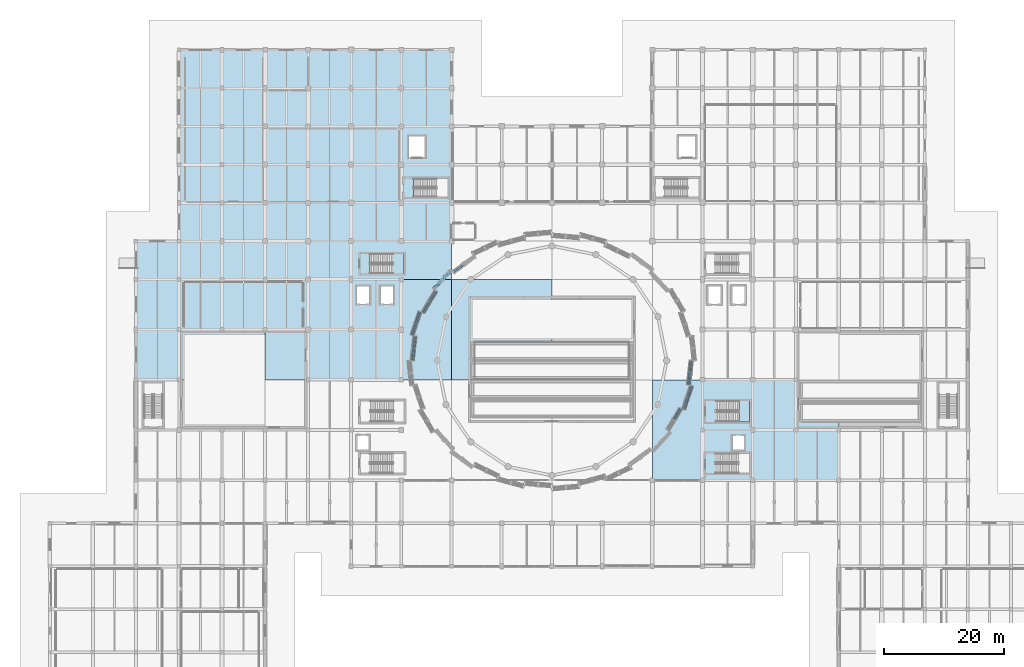
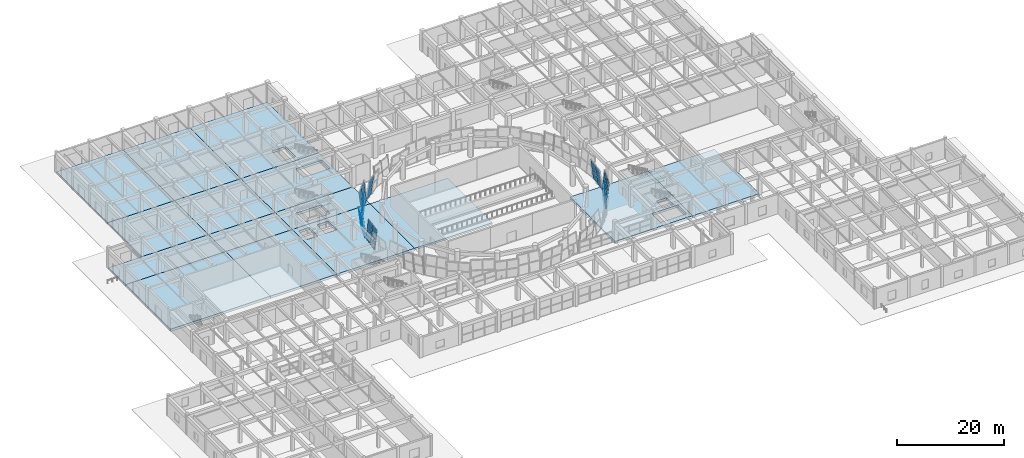
# One storey, part 42 of 72: 28 plates, 17 slabs, 10 elements without a shape of their own.
"""IFC4 building model written with IfcOpenShell, lengths in metres."""

from ifc_helpers import new_model, si_unit, direction, frame, origin, place, context, subcontext, project, spatial, polyline, outline, extrude, material, layer, layer_set, type_object, element, aggregate, save


model = new_model("IFC4")

# Units and contexts
model_context = context("Model", 3, precision=1e-05, world=origin(), true_north=direction((0.0, 1.0)))
body_context = subcontext(model_context, "Body", "Model", "MODEL_VIEW")
ifc_project = project(units=[si_unit("LENGTHUNIT", "METRE"), si_unit("AREAUNIT", "SQUARE_METRE"), si_unit("VOLUMEUNIT", "CUBIC_METRE"), si_unit("PLANEANGLEUNIT", "RADIAN"), si_unit("MASSUNIT", "GRAM", prefix="KILO")], contexts=[model_context])

# Site, building, storey
site_placement = place(None, origin())
site = spatial("IfcSite", under=ifc_project, at=site_placement, CompositionType="ELEMENT")
building_placement = place(site_placement, origin())
building = spatial("IfcBuilding", under=site, at=building_placement, Name="Korsvaeld Concert Hall", CompositionType="ELEMENT")
storey_placement = place(building_placement, origin())
storey = spatial("IfcBuildingStorey", under=building, at=storey_placement, Name="L00", CompositionType="ELEMENT", Elevation=0.0)

# Curtain wall, plates
ifc_material_1 = material(Name="Anodised bronze and ceramic-fritted safety glass", Category="glass")
curtain_wall_type_1 = type_object("IfcCurtainWallType", Name="CW-TYPE-04", PredefinedType="USERDEFINED", material=ifc_material_1)
curtain_wall_1_placement = place(storey_placement, origin())
curtain_wall_1 = element("IfcCurtainWall", 1, at=curtain_wall_1_placement, inside=storey, type_object=curtain_wall_type_1, Name="Crystal curtain-wall facet L00 F12", ObjectType="CURTAIN WALL", PredefinedType="USERDEFINED")
ifc_material_2 = material(Name="Translucent ceramic-fritted crystal safety glass", Category="glass")
ifc_layer_1 = layer(ifc_material_2, 0.035888671875)
ifc_layer_set_1 = layer_set([ifc_layer_1], Name="Translucent ceramic-fritted crystal safety glass")
plate_type = type_object("IfcPlateType", Name="CWP-CRYSTAL-36", PredefinedType="CURTAIN_PANEL", material=ifc_layer_set_1)
plate_1_placement = place(storey_placement, frame((69.074951171875, 79.481689453125, 0.06005859375), z_axis=(-0.589603322114, 0.799806223238, 0.112596304659), x_axis=(-0.804925146667, -0.593376363068, -3.842251e-06)))
plate_1 = element("IfcPlate", 2, at=plate_1_placement, type_object=plate_type, Name="CW-CRYS-L00-F12 ceramic-fritted crystal panel 2.1", PredefinedType="CURTAIN_PANEL", context=body_context, shape_type="SweptSolid", body=[
    extrude(outline(polyline([(0.0, 0.0), (2.1091544694851594, 0.0), (2.0834522541233937, 2.1636695204675545), (-0.02550570043338004, 2.163653209697853), (0.0, 0.0)])), frame((0.0, 0.0, 0.01806640625)), (0.0, 0.0, -1.0), 0.035888671875),
])
plate_2_placement = place(storey_placement, frame((69.24462890625, 79.295654296875, 2.27001953125), z_axis=(-0.589634570875, 0.799791098574, 0.112540088284), x_axis=(-0.804904507896, -0.593404358906, 0.0)))
plate_2 = element("IfcPlate", 3, at=plate_2_placement, type_object=plate_type, Name="CW-CRYS-L00-F12 ceramic-fritted crystal panel 2.2", PredefinedType="CURTAIN_PANEL", context=body_context, shape_type="SweptSolid", body=[
    extrude(outline(polyline([(0.0, 0.0), (2.1089579558479716, 0.0), (2.083127602758376, 2.1636475963602004), (-0.025830353089595817, 2.1636475963602004), (0.0, 0.0)])), frame((0.0, 0.0, 0.01806640625)), (0.0, 0.0, -1.0), 0.035888671875),
])
aggregate(curtain_wall_1, [plate_1, plate_2])

curtain_wall_type_2 = type_object("IfcCurtainWallType", Name="CW-TYPE-05", PredefinedType="USERDEFINED", material=ifc_material_1)
curtain_wall_2_placement = place(storey_placement, origin())
curtain_wall_2 = element("IfcCurtainWall", 4, at=curtain_wall_2_placement, inside=storey, type_object=curtain_wall_type_2, Name="Crystal curtain-wall facet L00 F13", ObjectType="CURTAIN WALL", PredefinedType="USERDEFINED")
plate_3_placement = place(storey_placement, frame((67.256103515625, 78.139404296875, 0.06005859375), z_axis=(-0.733590119375, 0.670213765096, -0.112512425229), x_axis=(-0.674496604142, -0.738277949692, 0.0)))
plate_3 = element("IfcPlate", 5, at=plate_3_placement, type_object=plate_type, Name="CW-CRYS-L00-F13 ceramic-fritted crystal panel 1.1", PredefinedType="CURTAIN_PANEL", context=body_context, shape_type="SweptSolid", body=[
    extrude(outline(polyline([(0.0, 0.0), (2.0631705985682665, 1.3877787807814457e-17), (2.088815954885678, 2.1636407749515705), (0.025645356317411536, 2.1636407749515705), (0.0, 0.0)])), frame((0.0, 0.0, 0.01806640625)), (0.0, 0.0, -1.0), 0.035888671875),
])
plate_4_placement = place(storey_placement, frame((67.053466796875, 78.288818359375, 2.27001953125), z_axis=(-0.733590119375, 0.670213765096, -0.112512425229), x_axis=(-0.674496604142, -0.738277949692, 0.0)))
plate_4 = element("IfcPlate", 6, at=plate_4_placement, type_object=plate_type, Name="CW-CRYS-L00-F13 ceramic-fritted crystal panel 1.2", PredefinedType="CURTAIN_PANEL", context=body_context, shape_type="SweptSolid", body=[
    extrude(outline(polyline([(0.0, 0.0), (2.0631705985682665, 1.3877787807814457e-17), (2.088815954885678, 2.1636407749515705), (0.025645356317411536, 2.1636407749515705), (0.0, 0.0)])), frame((0.0, 0.0, 0.01806640625)), (0.0, 0.0, -1.0), 0.035888671875),
])
plate_5_placement = place(storey_placement, frame((65.81396484375, 76.560791015625, 0.06005859375), z_axis=(-0.733557448558, 0.670242704841, -0.112553037598), x_axis=(-0.674528442587, -0.73824886056, -4.885019e-06)))
plate_5 = element("IfcPlate", 7, at=plate_5_placement, type_object=plate_type, Name="CW-CRYS-L00-F13 ceramic-fritted crystal panel 2.1", PredefinedType="CURTAIN_PANEL", context=body_context, shape_type="SweptSolid", body=[
    extrude(outline(polyline([(0.0, 0.0), (2.063170596625041, 0.0), (2.088980628875709, 2.1636610601135753), (0.0256453524551146, 2.1636407731443597), (0.0, 0.0)])), frame((0.0, 0.0, 0.01806640625)), (0.0, 0.0, -1.0), 0.035888671875),
])
plate_6_placement = place(storey_placement, frame((65.611328125, 76.710205078125, 2.27001953125), z_axis=(-0.733583241039, 0.670207480994, -0.112594675216), x_axis=(-0.674496604142, -0.738277949692, 0.0)))
plate_6 = element("IfcPlate", 8, at=plate_6_placement, type_object=plate_type, Name="CW-CRYS-L00-F13 ceramic-fritted crystal panel 2.2", PredefinedType="CURTAIN_PANEL", context=body_context, shape_type="SweptSolid", body=[
    extrude(outline(polyline([(0.0, 0.0), (2.0631705985682665, 0.0), (2.0889806269081737, 2.1636610620131993), (0.025810028339907143, 2.1636610620131993), (0.0, 0.0)])), frame((0.0, 0.0, 0.01806640625)), (0.0, 0.0, -1.0), 0.035888671875),
])
aggregate(curtain_wall_2, [plate_3, plate_4, plate_5, plate_6])

curtain_wall_type_3 = type_object("IfcCurtainWallType", Name="CW-TYPE-06", PredefinedType="USERDEFINED", material=ifc_material_1)
curtain_wall_3_placement = place(storey_placement, origin())
curtain_wall_3 = element("IfcCurtainWall", 9, at=curtain_wall_3_placement, inside=storey, type_object=curtain_wall_type_3, Name="Crystal curtain-wall facet L00 F14", ObjectType="CURTAIN WALL", PredefinedType="USERDEFINED")
plate_7_placement = place(storey_placement, frame((64.34521484375, 74.91064453125, 0.06005859375), z_axis=(-0.853878744405, 0.508123905426, 0.11269954121), x_axis=(-0.511381861684, -0.859353589357, 0.0)))
plate_7 = element("IfcPlate", 10, at=plate_7_placement, type_object=plate_type, Name="CW-CRYS-L00-F14 ceramic-fritted crystal panel 1.1", PredefinedType="CURTAIN_PANEL", context=body_context, shape_type="SweptSolid", body=[
    extrude(outline(polyline([(0.0, 0.0), (2.0199366887482033, -2.7755575615628914e-17), (1.998127668928639, 2.1636869496700144), (-0.021809019819564346, 2.1636869496700144), (0.0, 0.0)])), frame((0.0, 0.0, 0.01806640625)), (0.0, 0.0, -1.0), 0.035888671875),
])
plate_8_placement = place(storey_placement, frame((64.572021484375, 74.8017578125, 2.27001953125), z_axis=(-0.853882302048, 0.508090291817, 0.112824064859), x_axis=(-0.51135496716, -0.859369593102, 3.463936e-06)))
plate_8 = element("IfcPlate", 11, at=plate_8_placement, type_object=plate_type, Name="CW-CRYS-L00-F14 ceramic-fritted crystal panel 1.2", PredefinedType="CURTAIN_PANEL", context=body_context, shape_type="SweptSolid", body=[
    extrude(outline(polyline([(0.0, 0.0), (2.0201464947764523, -1.3877787807814457e-17), (1.9982277109738613, 2.163710756406691), (-0.021708976773024826, 2.1637248409252914), (0.0, 0.0)])), frame((0.0, 0.0, 0.01806640625)), (0.0, 0.0, -1.0), 0.035888671875),
])
plate_9_placement = place(storey_placement, frame((63.27392578125, 73.1103515625, 0.06005859375), z_axis=(-0.85389163974, 0.508095848075, 0.112728331628), x_axis=(-0.511355642648, -0.859369191163, -3.461394e-06)))
plate_9 = element("IfcPlate", 12, at=plate_9_placement, type_object=plate_type, Name="CW-CRYS-L00-F14 ceramic-fritted crystal panel 2.1", PredefinedType="CURTAIN_PANEL", context=body_context, shape_type="SweptSolid", body=[
    extrude(outline(polyline([(0.0, 0.0), (2.0199366877959695, -2.7755575615628914e-17), (1.9983374729930923, 2.163701022791072), (-0.021809021734313386, 2.163686948761746), (0.0, 0.0)])), frame((0.0, 0.0, 0.01806640625)), (0.0, 0.0, -1.0), 0.035888671875),
])
plate_10_placement = place(storey_placement, frame((63.500732421875, 73.001220703125, 2.27001953125), z_axis=(-0.853900415295, 0.508076752026, 0.112747925961), x_axis=(-0.511336663319, -0.859380484251, 5.818552e-06)))
plate_10 = element("IfcPlate", 13, at=plate_10_placement, type_object=plate_type, Name="CW-CRYS-L00-F14 ceramic-fritted crystal panel 2.2", PredefinedType="CURTAIN_PANEL", context=body_context, shape_type="SweptSolid", body=[
    extrude(outline(polyline([(0.0, 0.0), (2.01981184786764, -2.7755575615628914e-17), (1.998028162490397, 2.16368720237101), (-0.021908523429811283, 2.1637108586999854), (0.0, 0.0)])), frame((0.0, 0.0, 0.01806640625)), (0.0, 0.0, -1.0), 0.035888671875),
])
aggregate(curtain_wall_3, [plate_7, plate_8, plate_9, plate_10])

curtain_wall_type_4 = type_object("IfcCurtainWallType", Name="CW-TYPE-07", PredefinedType="USERDEFINED", material=ifc_material_1)
curtain_wall_4_placement = place(storey_placement, origin())
curtain_wall_4 = element("IfcCurtainWall", 14, at=curtain_wall_4_placement, inside=storey, type_object=curtain_wall_type_4, Name="Crystal curtain-wall facet L00 F15", ObjectType="CURTAIN WALL", PredefinedType="USERDEFINED")
plate_11_placement = place(storey_placement, frame((62.165771484375, 71.24365234375, 0.06005859375), z_axis=(-0.941373275649, 0.317882160799, -0.11299242337), x_axis=(-0.319931285196, -0.947440748938, 2.207461e-06)))
plate_11 = element("IfcPlate", 15, at=plate_11_placement, type_object=plate_type, Name="CW-CRYS-L00-F15 ceramic-fritted crystal panel 1.1", PredefinedType="CURTAIN_PANEL", context=body_context, shape_type="SweptSolid", body=[
    extrude(outline(polyline([(0.0, 0.0), (1.9862437568794762, 1.3877787807814457e-17), (2.0010230552188437, 2.1637549387204356), (0.01454798956277153, 2.163763764865277), (0.0, 0.0)])), frame((0.0, 0.0, 0.01806640625)), (0.0, 0.0, -1.0), 0.035888671875),
])
plate_12_placement = place(storey_placement, frame((61.9228515625, 71.309814453125, 2.27001953125), z_axis=(-0.94136511925, 0.317900026649, -0.113010111568), x_axis=(-0.319949676143, -0.947434538497, 0.0)))
plate_12 = element("IfcPlate", 16, at=plate_12_placement, type_object=plate_type, Name="CW-CRYS-L00-F15 ceramic-fritted crystal panel 1.2", PredefinedType="CURTAIN_PANEL", context=body_context, shape_type="SweptSolid", body=[
    extrude(outline(polyline([(0.0, 0.0), (1.9862437572585203, 0.0), (2.000791747576604, 2.163763765208145), (0.014547990318083723, 2.163763765208145), (0.0, 0.0)])), frame((0.0, 0.0, 0.01806640625)), (0.0, 0.0, -1.0), 0.035888671875),
])
plate_13_placement = place(storey_placement, frame((61.50634765625, 69.290771484375, 0.06005859375), z_axis=(-0.941373275649, 0.317882160799, -0.11299242337), x_axis=(-0.319930809544, -0.947440909556, -2.207204e-06)))
plate_13 = element("IfcPlate", 17, at=plate_13_placement, type_object=plate_type, Name="CW-CRYS-L00-F15 ceramic-fritted crystal panel 2.1", PredefinedType="CURTAIN_PANEL", context=body_context, shape_type="SweptSolid", body=[
    extrude(outline(polyline([(0.0, 0.0), (1.9864750656756802, 1.3877787807814457e-17), (2.0010134413787024, 2.1637638294823662), (0.014769684518831823, 2.163755004365257), (0.0, 0.0)])), frame((0.0, 0.0, 0.01806640625)), (0.0, 0.0, -1.0), 0.035888671875),
])
plate_14_placement = place(storey_placement, frame((61.263427734375, 69.35693359375, 2.27001953125), z_axis=(-0.941377590956, 0.317863000293, -0.113010372487), x_axis=(-0.319912420616, -0.947447118912, 0.0)))
plate_14 = element("IfcPlate", 18, at=plate_14_placement, type_object=plate_type, Name="CW-CRYS-L00-F15 ceramic-fritted crystal panel 2.2", PredefinedType="CURTAIN_PANEL", context=body_context, shape_type="SweptSolid", body=[
    extrude(outline(polyline([(0.0, 0.0), (1.9864750660546802, -1.3877787807814457e-17), (2.0010134409969287, 2.1637638298354243), (0.014538374942248335, 2.1637638298354243), (0.0, 0.0)])), frame((0.0, 0.0, 0.01806640625)), (0.0, 0.0, -1.0), 0.035888671875),
])
aggregate(curtain_wall_4, [plate_11, plate_12, plate_13, plate_14])

curtain_wall_type_5 = type_object("IfcCurtainWallType", Name="CW-TYPE-08", PredefinedType="USERDEFINED", material=ifc_material_1)
curtain_wall_5_placement = place(storey_placement, origin())
curtain_wall_5 = element("IfcCurtainWall", 19, at=curtain_wall_5_placement, inside=storey, type_object=curtain_wall_type_5, Name="Crystal curtain-wall facet L00 F16", ObjectType="CURTAIN WALL", PredefinedType="USERDEFINED")
plate_15_placement = place(storey_placement, frame((60.85205078125, 67.2607421875, 0.06005859375), z_axis=(-0.987654789516, 0.108287642133, 0.113189236708), x_axis=(-0.108987360322, -0.994043135509, 6.174649e-06)))
plate_15 = element("IfcPlate", 20, at=plate_15_placement, type_object=plate_type, Name="CW-CRYS-L00-F16 ceramic-fritted crystal panel 1.1", PredefinedType="CURTAIN_PANEL", context=body_context, shape_type="SweptSolid", body=[
    extrude(outline(polyline([(0.0, 0.0), (1.9677647714985873, 3.469446951953614e-18), (1.9627954941679095, 2.1637959714130712), (-0.005238571885323814, 2.163820430777011), (0.0, 0.0)])), frame((0.0, 0.0, 0.01806640625)), (0.0, 0.0, -1.0), 0.035888671875),
])
plate_16_placement = place(storey_placement, frame((61.10302734375, 67.238525390625, 2.27001953125), z_axis=(-0.987654789516, 0.108287642133, 0.113189236708), x_axis=(-0.108988930989, -0.994042963288, -7.69527e-06)))
plate_16 = element("IfcPlate", 21, at=plate_16_placement, type_object=plate_type, Name="CW-CRYS-L00-F16 ceramic-fritted crystal panel 1.2", PredefinedType="CURTAIN_PANEL", context=body_context, shape_type="SweptSolid", body=[
    extrude(outline(polyline([(0.0, 0.0), (1.9677913799325863, 0.0), (1.9627652881831774, 2.1638233711032178), (-0.005242169394013348, 2.1637928881673916), (0.0, 0.0)])), frame((0.0, 0.0, 0.01806640625)), (0.0, 0.0, -1.0), 0.035888671875),
])
plate_17_placement = place(storey_placement, frame((60.62939453125, 65.22998046875, 0.06005859375), z_axis=(-0.987654746524, 0.10829439526, 0.113183150799), x_axis=(-0.108993995054, -0.994042408046, 6.934638e-06)))
plate_17 = element("IfcPlate", 22, at=plate_17_placement, type_object=plate_type, Name="CW-CRYS-L00-F16 ceramic-fritted crystal panel 2.1", PredefinedType="CURTAIN_PANEL", context=body_context, shape_type="SweptSolid", body=[
    extrude(outline(polyline([(0.0, 0.0), (1.9677647707330874, 0.0), (1.9625528071767997, 2.1637929619124243), (-0.005238573418361289, 2.1638204300771586), (0.0, 0.0)])), frame((0.0, 0.0, 0.01806640625)), (0.0, 0.0, -1.0), 0.035888671875),
])
plate_18_placement = place(storey_placement, frame((60.88037109375, 65.207763671875, 2.27001953125), z_axis=(-0.987654746524, 0.10829439526, 0.113183150799), x_axis=(-0.108995565552, -0.994042235844, -6.934544e-06)))
plate_18 = element("IfcPlate", 23, at=plate_18_placement, type_object=plate_type, Name="CW-CRYS-L00-F16 ceramic-fritted crystal panel 2.2", PredefinedType="CURTAIN_PANEL", context=body_context, shape_type="SweptSolid", body=[
    extrude(outline(polyline([(0.0, 0.0), (1.9677913807868734, 3.469446951953614e-18), (1.9625226028582143, 2.1638203567417276), (-0.005242167683163164, 2.1637928889484397), (0.0, 0.0)])), frame((0.0, 0.0, 0.01806640625)), (0.0, 0.0, -1.0), 0.035888671875),
])
aggregate(curtain_wall_5, [plate_15, plate_16, plate_17, plate_18])

curtain_wall_6_placement = place(storey_placement, origin())
curtain_wall_6 = element("IfcCurtainWall", 24, at=curtain_wall_6_placement, inside=storey, type_object=curtain_wall_type_3, Name="Crystal curtain-wall facet L00 F30", ObjectType="CURTAIN WALL", PredefinedType="USERDEFINED")
plate_19_placement = place(storey_placement, frame((104.72607421875, 53.289794921875, 0.06005859375), z_axis=(0.853878744405, -0.508123905426, 0.11269954121), x_axis=(0.511381861684, 0.859353589357, 0.0)))
plate_19 = element("IfcPlate", 25, at=plate_19_placement, type_object=plate_type, Name="CW-CRYS-L00-F30 ceramic-fritted crystal panel 2.1", PredefinedType="CURTAIN_PANEL", context=body_context, shape_type="SweptSolid", body=[
    extrude(outline(polyline([(0.0, 0.0), (2.0199366887482033, -2.7755575615628914e-17), (1.998127668928639, 2.1636869496700144), (-0.021809019819564346, 2.1636869496700144), (0.0, 0.0)])), frame((0.0, 0.0, 0.01806640625)), (0.0, 0.0, -1.0), 0.035888671875),
])
plate_20_placement = place(storey_placement, frame((104.499267578125, 53.398681640625, 2.27001953125), z_axis=(0.853913307203, -0.508048695046, 0.1127767141), x_axis=(0.511310444951, 0.859396083816, 2.357353e-06)))
plate_20 = element("IfcPlate", 26, at=plate_20_placement, type_object=plate_type, Name="CW-CRYS-L00-F30 ceramic-fritted crystal panel 2.2", PredefinedType="CURTAIN_PANEL", context=body_context, shape_type="SweptSolid", body=[
    extrude(outline(polyline([(0.0, 0.0), (2.01981185011602, 0.0), (1.9982379763559814, 2.163701276087484), (-0.021908518908663483, 2.1637108608446134), (0.0, 0.0)])), frame((0.0, 0.0, 0.01806640625)), (0.0, 0.0, -1.0), 0.035888671875),
])
aggregate(curtain_wall_6, [plate_19, plate_20])

curtain_wall_7_placement = place(storey_placement, origin())
curtain_wall_7 = element("IfcCurtainWall", 27, at=curtain_wall_7_placement, inside=storey, type_object=curtain_wall_type_4, Name="Crystal curtain-wall facet L00 F31", ObjectType="CURTAIN WALL", PredefinedType="USERDEFINED")
plate_21_placement = place(storey_placement, frame((105.834228515625, 55.15625, 0.06005859375), z_axis=(0.941373275649, -0.317882160799, -0.11299242337), x_axis=(0.319930809544, 0.947440909556, -2.207204e-06)))
plate_21 = element("IfcPlate", 28, at=plate_21_placement, type_object=plate_type, Name="CW-CRYS-L00-F31 ceramic-fritted crystal panel 1.1", PredefinedType="CURTAIN_PANEL", context=body_context, shape_type="SweptSolid", body=[
    extrude(outline(polyline([(0.0, 0.0), (1.9864750656756802, 1.3877787807814457e-17), (2.0010134413787024, 2.1637638294823662), (0.014769684518831823, 2.163755004365257), (0.0, 0.0)])), frame((0.0, 0.0, 0.01806640625)), (0.0, 0.0, -1.0), 0.035888671875),
])
plate_22_placement = place(storey_placement, frame((106.0771484375, 55.090087890625, 2.27001953125), z_axis=(0.941373275649, -0.317882160799, -0.11299242337), x_axis=(0.319930809544, 0.947440909556, -2.207204e-06)))
plate_22 = element("IfcPlate", 29, at=plate_22_placement, type_object=plate_type, Name="CW-CRYS-L00-F31 ceramic-fritted crystal panel 1.2", PredefinedType="CURTAIN_PANEL", context=body_context, shape_type="SweptSolid", body=[
    extrude(outline(polyline([(0.0, 0.0), (1.9864750656756802, 1.3877787807814457e-17), (2.0010134413787024, 2.1637638294823662), (0.014769684518831823, 2.163755004365257), (0.0, 0.0)])), frame((0.0, 0.0, 0.01806640625)), (0.0, 0.0, -1.0), 0.035888671875),
])
plate_23_placement = place(storey_placement, frame((106.49365234375, 57.109375, 0.06005859375), z_axis=(0.94136511925, -0.317900026649, -0.113010111568), x_axis=(0.319949676143, 0.947434538497, 0.0)))
plate_23 = element("IfcPlate", 30, at=plate_23_placement, type_object=plate_type, Name="CW-CRYS-L00-F31 ceramic-fritted crystal panel 2.1", PredefinedType="CURTAIN_PANEL", context=body_context, shape_type="SweptSolid", body=[
    extrude(outline(polyline([(0.0, 0.0), (1.9862437572585203, 0.0), (2.000791747576604, 2.163763765208145), (0.014547990318083723, 2.163763765208145), (0.0, 0.0)])), frame((0.0, 0.0, 0.01806640625)), (0.0, 0.0, -1.0), 0.035888671875),
])
plate_24_placement = place(storey_placement, frame((106.736572265625, 57.043212890625, 2.27001953125), z_axis=(0.94136511925, -0.317900026649, -0.113010111568), x_axis=(0.319949676143, 0.947434538497, 0.0)))
plate_24 = element("IfcPlate", 31, at=plate_24_placement, type_object=plate_type, Name="CW-CRYS-L00-F31 ceramic-fritted crystal panel 2.2", PredefinedType="CURTAIN_PANEL", context=body_context, shape_type="SweptSolid", body=[
    extrude(outline(polyline([(0.0, 0.0), (1.9862437572585203, 0.0), (2.000791747576604, 2.163763765208145), (0.014547990318083723, 2.163763765208145), (0.0, 0.0)])), frame((0.0, 0.0, 0.01806640625)), (0.0, 0.0, -1.0), 0.035888671875),
])
aggregate(curtain_wall_7, [plate_21, plate_22, plate_23, plate_24])

curtain_wall_8_placement = place(storey_placement, origin())
curtain_wall_8 = element("IfcCurtainWall", 32, at=curtain_wall_8_placement, inside=storey, type_object=curtain_wall_type_5, Name="Crystal curtain-wall facet L00 F32", ObjectType="CURTAIN WALL", PredefinedType="USERDEFINED")
plate_25_placement = place(storey_placement, frame((107.14794921875, 59.13916015625, 0.06005859375), z_axis=(0.987654789516, -0.108287642133, 0.113189236708), x_axis=(0.108987188217, 0.994043154368, 7.694425e-06)))
plate_25 = element("IfcPlate", 33, at=plate_25_placement, type_object=plate_type, Name="CW-CRYS-L00-F32 ceramic-fritted crystal panel 1.1", PredefinedType="CURTAIN_PANEL", context=body_context, shape_type="SweptSolid", body=[
    extrude(outline(polyline([(0.0, 0.0), (1.9680074578132696, -3.469446951953614e-18), (1.962798803922832, 2.1637929691050353), (-0.004992575773701613, 2.1638234486939805), (0.0, 0.0)])), frame((0.0, 0.0, 0.01806640625)), (0.0, 0.0, -1.0), 0.035888671875),
])
plate_26_placement = place(storey_placement, frame((106.89697265625, 59.161376953125, 2.27001953125), z_axis=(0.987654789516, -0.108287642133, 0.113189236708), x_axis=(0.108988758695, 0.994042982189, -6.173804e-06)))
plate_26 = element("IfcPlate", 34, at=plate_26_placement, type_object=plate_type, Name="CW-CRYS-L00-F32 ceramic-fritted crystal panel 1.2", PredefinedType="CURTAIN_PANEL", context=body_context, shape_type="SweptSolid", body=[
    extrude(outline(polyline([(0.0, 0.0), (1.968034066205228, 0.0), (1.9627686016601027, 2.16382036550323), (-0.00499616968651099, 2.163795909486172), (0.0, 0.0)])), frame((0.0, 0.0, 0.01806640625)), (0.0, 0.0, -1.0), 0.035888671875),
])
plate_27_placement = place(storey_placement, frame((107.37060546875, 61.169921875, 0.06005859375), z_axis=(0.987654789516, -0.108287642133, 0.113189236708), x_axis=(0.108987360322, 0.994043135509, 6.174649e-06)))
plate_27 = element("IfcPlate", 35, at=plate_27_placement, type_object=plate_type, Name="CW-CRYS-L00-F32 ceramic-fritted crystal panel 2.1", PredefinedType="CURTAIN_PANEL", context=body_context, shape_type="SweptSolid", body=[
    extrude(outline(polyline([(0.0, 0.0), (1.9677647714985873, 3.469446951953614e-18), (1.9627954941679095, 2.1637959714130712), (-0.005238571885323814, 2.163820430777011), (0.0, 0.0)])), frame((0.0, 0.0, 0.01806640625)), (0.0, 0.0, -1.0), 0.035888671875),
])
plate_28_placement = place(storey_placement, frame((107.11962890625, 61.192138671875, 2.27001953125), z_axis=(0.987654789516, -0.108287642133, 0.113189236708), x_axis=(0.108988930989, 0.994042963288, -7.69527e-06)))
plate_28 = element("IfcPlate", 36, at=plate_28_placement, type_object=plate_type, Name="CW-CRYS-L00-F32 ceramic-fritted crystal panel 2.2", PredefinedType="CURTAIN_PANEL", context=body_context, shape_type="SweptSolid", body=[
    extrude(outline(polyline([(0.0, 0.0), (1.9677913799325863, 0.0), (1.9627652881831774, 2.1638233711032178), (-0.005242169394013348, 2.1637928881673916), (0.0, 0.0)])), frame((0.0, 0.0, 0.01806640625)), (0.0, 0.0, -1.0), 0.035888671875),
])
aggregate(curtain_wall_8, [plate_25, plate_26, plate_27, plate_28])

# Slabs
ifc_material_3 = material(Name="Concrete C35/45", Category="concrete")
ifc_layer_2 = layer(ifc_material_3, 0.449951171875)
ifc_layer_set_2 = layer_set([ifc_layer_2], Name="Concrete C35/45")
slab_type_1 = type_object("IfcSlabType", Name="SLB-DOCK-450", PredefinedType="FLOOR", material=ifc_layer_set_2)
slab_1_placement = place(storey_placement, frame((0.0, 0.0, -0.449951171875)))
element("IfcSlab", 37, at=slab_1_placement, inside=storey, type_object=slab_type_1, Name="Structural slab L00 V5_L00_W 1.1", PredefinedType="FLOOR", context=body_context, shape_type="SweptSolid", body=[
    extrude(outline(polyline([(21.60009765625, 83.199951171875), (21.60009765625, 96.0), (36.0, 96.0), (36.0, 83.199951171875), (21.60009765625, 83.199951171875)])), origin(), (0.0, 0.0, 1.0), 0.449951171875),
])
slab_2_placement = place(storey_placement, frame((0.0, 0.0, -0.449951171875)))
element("IfcSlab", 38, at=slab_2_placement, inside=storey, type_object=slab_type_1, Name="Structural slab L00 V5_L00_W 1.2", PredefinedType="FLOOR", context=body_context, shape_type="SweptSolid", body=[
    extrude(outline(polyline([(21.60009765625, 96.0), (21.60009765625, 115.199951171875), (36.0, 115.199951171875), (36.0, 96.0), (21.60009765625, 96.0)])), origin(), (0.0, 0.0, 1.0), 0.449951171875),
])
slab_3_placement = place(storey_placement, frame((0.0, 0.0, -0.449951171875)))
element("IfcSlab", 39, at=slab_3_placement, inside=storey, type_object=slab_type_1, Name="Structural slab L00 V5_L00_W 2.1", PredefinedType="FLOOR", context=body_context, shape_type="SweptSolid", body=[
    extrude(outline(polyline([(36.0, 83.199951171875), (36.0, 96.0), (50.39990234375, 96.0), (50.39990234375, 83.199951171875), (36.0, 83.199951171875)])), origin(), (0.0, 0.0, 1.0), 0.449951171875),
])
slab_4_placement = place(storey_placement, frame((0.0, 0.0, -0.449951171875)))
element("IfcSlab", 40, at=slab_4_placement, inside=storey, type_object=slab_type_1, Name="Structural slab L00 V5_L00_W 2.2", PredefinedType="FLOOR", context=body_context, shape_type="SweptSolid", body=[
    extrude(outline(polyline([(36.0, 96.0), (36.0, 115.199951171875), (50.39990234375, 115.199951171875), (50.39990234375, 96.0), (36.0, 96.0)])), origin(), (0.0, 0.0, 1.0), 0.449951171875),
])
ifc_layer_3 = layer(ifc_material_3, 0.550048828125)
ifc_layer_set_3 = layer_set([ifc_layer_3], Name="Concrete C35/45")
slab_type_2 = type_object("IfcSlabType", Name="SLB-GND-550", PredefinedType="BASESLAB", material=ifc_layer_set_3)
slab_5_placement = place(storey_placement, frame((0.0, 0.0, -0.550048828125)))
element("IfcSlab", 41, at=slab_5_placement, inside=storey, type_object=slab_type_2, Name="Structural slab L00 V3_L00 1.2", PredefinedType="BASESLAB", context=body_context, shape_type="SweptSolid", body=[
    extrude(outline(polyline([(14.39990234375, 60.0), (14.39990234375, 76.800048828125), (36.0, 76.800048828125), (36.0, 60.0), (14.39990234375, 60.0)])), origin(), (0.0, 0.0, 1.0), 0.550048828125),
])
slab_6_placement = place(storey_placement, frame((0.0, 0.0, -0.550048828125)))
element("IfcSlab", 42, at=slab_6_placement, inside=storey, type_object=slab_type_2, Name="Structural slab L00 V3_L00 1.3", PredefinedType="BASESLAB", context=body_context, shape_type="SweptSolid", body=[
    extrude(outline(polyline([(14.39990234375, 76.800048828125), (14.39990234375, 83.199951171875), (36.0, 83.199951171875), (36.0, 76.800048828125), (14.39990234375, 76.800048828125)])), origin(), (0.0, 0.0, 1.0), 0.550048828125),
])
slab_7_placement = place(storey_placement, frame((0.0, 0.0, -0.550048828125)))
element("IfcSlab", 43, at=slab_7_placement, inside=storey, type_object=slab_type_2, Name="Structural slab L00 V3_L00 2.2", PredefinedType="BASESLAB", context=body_context, shape_type="SweptSolid", body=[
    extrude(outline(polyline([(36.0, 60.0), (36.0, 76.800048828125), (50.39990234375, 76.800048828125), (50.39990234375, 60.0), (36.0, 60.0)])), origin(), (0.0, 0.0, 1.0), 0.550048828125),
])
slab_8_placement = place(storey_placement, frame((0.0, 0.0, -0.550048828125)))
element("IfcSlab", 44, at=slab_8_placement, inside=storey, type_object=slab_type_2, Name="Structural slab L00 V3_L00 2.3", PredefinedType="BASESLAB", context=body_context, shape_type="SweptSolid", body=[
    extrude(outline(polyline([(36.0, 76.800048828125), (36.0, 83.199951171875), (50.39990234375, 83.199951171875), (50.39990234375, 76.800048828125), (36.0, 76.800048828125)])), origin(), (0.0, 0.0, 1.0), 0.550048828125),
])
slab_9_placement = place(storey_placement, frame((0.0, 0.0, -0.550048828125)))
element("IfcSlab", 45, at=slab_9_placement, inside=storey, type_object=slab_type_2, Name="Structural slab L00 V1_L00 1.2", PredefinedType="BASESLAB", context=body_context, shape_type="SweptSolid", body=[
    extrude(outline(polyline([(50.39990234375, 60.0), (50.39990234375, 76.800048828125), (67.199951171875, 76.800048828125), (67.199951171875, 60.0), (50.39990234375, 60.0)]), holes=[polyline([(53.60009765625, 75.800048828125), (51.199951171875, 75.800048828125), (51.199951171875, 72.60009765625), (53.60009765625, 72.60009765625), (53.60009765625, 75.800048828125)]), polyline([(57.60009765625, 75.800048828125), (55.199951171875, 75.800048828125), (55.199951171875, 72.60009765625), (57.60009765625, 72.60009765625), (57.60009765625, 75.800048828125)])]), origin(), (0.0, 0.0, 1.0), 0.550048828125),
])
slab_10_placement = place(storey_placement, frame((0.0, 0.0, -0.550048828125)))
element("IfcSlab", 46, at=slab_10_placement, inside=storey, type_object=slab_type_2, Name="Structural slab L00 V1_L00 1.3", PredefinedType="BASESLAB", context=body_context, shape_type="SweptSolid", body=[
    extrude(outline(polyline([(50.39990234375, 76.800048828125), (50.39990234375, 83.199951171875), (67.199951171875, 83.199951171875), (67.199951171875, 76.800048828125), (50.39990234375, 76.800048828125)]), holes=[polyline([(59.205078125, 77.794921875), (59.205078125, 81.044921875), (53.544921875, 81.044921875), (53.544921875, 77.794921875), (59.205078125, 77.794921875)])]), origin(), (0.0, 0.0, 1.0), 0.550048828125),
])
slab_11_placement = place(storey_placement, frame((0.0, 0.0, -0.550048828125)))
element("IfcSlab", 47, at=slab_11_placement, inside=storey, type_object=slab_type_2, Name="Structural slab L00 V1_L00 4.1", PredefinedType="BASESLAB", context=body_context, shape_type="SweptSolid", body=[
    extrude(outline(polyline([(100.800048828125, 43.199951171875), (100.800048828125, 60.0), (117.60009765625, 60.0), (117.60009765625, 43.199951171875), (100.800048828125, 43.199951171875)]), holes=[polyline([(117.0048828125, 47.64501953125), (111.344970703125, 47.64501953125), (111.344970703125, 44.39501953125), (117.0048828125, 44.39501953125), (117.0048828125, 47.64501953125)]), polyline([(116.300048828125, 50.75), (114.10009765625, 50.75), (114.10009765625, 48.14990234375), (116.300048828125, 48.14990234375), (116.300048828125, 50.75)])]), origin(), (0.0, 0.0, 1.0), 0.550048828125),
])
slab_12_placement = place(storey_placement, frame((0.0, 0.0, -0.550048828125)))
element("IfcSlab", 48, at=slab_12_placement, inside=storey, type_object=slab_type_2, Name="Structural slab L00 V2_L00 1.1", PredefinedType="BASESLAB", context=body_context, shape_type="SweptSolid", body=[
    extrude(outline(polyline([(117.60009765625, 43.199951171875), (117.60009765625, 60.0), (132.0, 60.0), (132.0, 43.199951171875), (117.60009765625, 43.199951171875)])), origin(), (0.0, 0.0, 1.0), 0.550048828125),
])
slab_13_placement = place(storey_placement, frame((0.0, 0.0, -0.550048828125)))
element("IfcSlab", 49, at=slab_13_placement, inside=storey, type_object=slab_type_2, Name="Structural slab L00 V5_L00_W 3.1", PredefinedType="BASESLAB", context=body_context, shape_type="SweptSolid", body=[
    extrude(outline(polyline([(50.39990234375, 83.199951171875), (50.39990234375, 96.0), (67.199951171875, 96.0), (67.199951171875, 83.199951171875), (50.39990234375, 83.199951171875)]), holes=[polyline([(66.60498046875, 90.594970703125), (66.60498046875, 93.64501953125), (60.844970703125, 93.64501953125), (60.844970703125, 90.594970703125), (66.60498046875, 90.594970703125)])]), origin(), (0.0, 0.0, 1.0), 0.550048828125),
])
slab_14_placement = place(storey_placement, frame((0.0, 0.0, -0.550048828125)))
element("IfcSlab", 50, at=slab_14_placement, inside=storey, type_object=slab_type_2, Name="Structural slab L00 V5_L00_W 3.2", PredefinedType="BASESLAB", context=body_context, shape_type="SweptSolid", body=[
    extrude(outline(polyline([(50.39990234375, 96.0), (50.39990234375, 115.199951171875), (67.199951171875, 115.199951171875), (67.199951171875, 96.0), (50.39990234375, 96.0)]), holes=[polyline([(62.89990234375, 100.89990234375), (59.89990234375, 100.89990234375), (59.89990234375, 97.10009765625), (62.89990234375, 97.10009765625), (62.89990234375, 100.89990234375)])]), origin(), (0.0, 0.0, 1.0), 0.550048828125),
])

# Stair, slab
ifc_material_4 = material(Name="Precast concrete C40/50", Category="concrete")
stair_type_1 = type_object("IfcStairType", Name="STR-HT-155-48", PredefinedType="HALF_TURN_STAIR", material=ifc_material_4)
stair_1_placement = place(storey_placement, origin())
stair_1 = element("IfcStair", 51, at=stair_1_placement, inside=storey, type_object=stair_type_1, Name="L00 ST-K1", PredefinedType="HALF_TURN_STAIR")
ifc_layer_4 = layer(ifc_material_4, 0.179931640625)
ifc_layer_set_4 = layer_set([ifc_layer_4], Name="Precast concrete C40/50")
slab_type_3 = type_object("IfcSlabType", Name="SLB-LANDING-180", PredefinedType="LANDING", material=ifc_layer_set_4)
slab_15_placement = place(storey_placement, frame((0.0, 0.0, 2.219970703125)))
slab_15 = element("IfcSlab", 52, at=slab_15_placement, type_object=slab_type_3, Name="ST-K1 landing 1", PredefinedType="LANDING", context=body_context, shape_type="SweptSolid", body=[
    extrude(outline(polyline([(57.360107421875, 77.7099609375), (57.360107421875, 81.1298828125), (59.2900390625, 81.1298828125), (59.2900390625, 77.7099609375), (57.360107421875, 77.7099609375)])), origin(), (0.0, 0.0, 1.0), 0.179931640625),
])
aggregate(stair_1, [slab_15])

stair_type_2 = type_object("IfcStairType", Name="STR-HT-165-48", PredefinedType="HALF_TURN_STAIR", material=ifc_material_4)
stair_2_placement = place(storey_placement, origin())
stair_2 = element("IfcStair", 53, at=stair_2_placement, inside=storey, type_object=stair_type_2, Name="L00 ST-F2", PredefinedType="HALF_TURN_STAIR")
slab_16_placement = place(storey_placement, frame((0.0, 0.0, 2.219970703125)))
slab_16 = element("IfcSlab", 54, at=slab_16_placement, type_object=slab_type_3, Name="ST-F2 landing 1", PredefinedType="LANDING", context=body_context, shape_type="SweptSolid", body=[
    extrude(outline(polyline([(115.260009765625, 52.909912109375), (115.260009765625, 56.530029296875), (117.090087890625, 56.530029296875), (117.090087890625, 52.909912109375), (115.260009765625, 52.909912109375)])), origin(), (0.0, 0.0, 1.0), 0.179931640625),
])
aggregate(stair_2, [slab_16])

# Slab
ifc_material_5 = material(Name="Concrete C40/50", Category="concrete")
ifc_layer_5 = layer(ifc_material_5, 0.419921875)
ifc_layer_set_5 = layer_set([ifc_layer_5], Name="Concrete C40/50")
slab_type_4 = type_object("IfcSlabType", Name="SLB-STG-420", PredefinedType="FLOOR", material=ifc_layer_set_5)
slab_17_placement = place(storey_placement, frame((0.0, 0.0, -0.419921875)))
element("IfcSlab", 55, at=slab_17_placement, inside=storey, type_object=slab_type_4, Name="Structural slab L00 V1_L00 2.2", PredefinedType="FLOOR", context=body_context, shape_type="SweptSolid", body=[
    extrude(outline(polyline([(67.199951171875, 60.0), (67.199951171875, 76.800048828125), (84.0, 76.800048828125), (84.0, 60.0), (67.199951171875, 60.0)])), origin(), (0.0, 0.0, 1.0), 0.419921875),
])

save(model, "model.ifc")
